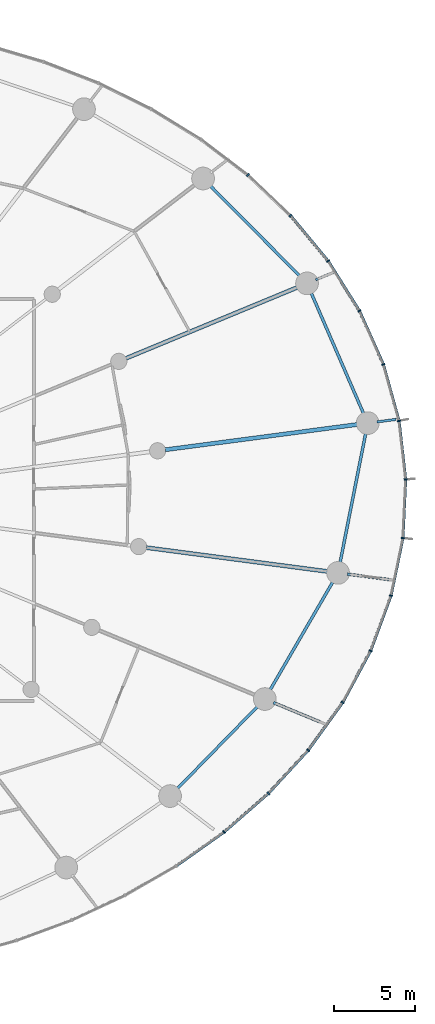
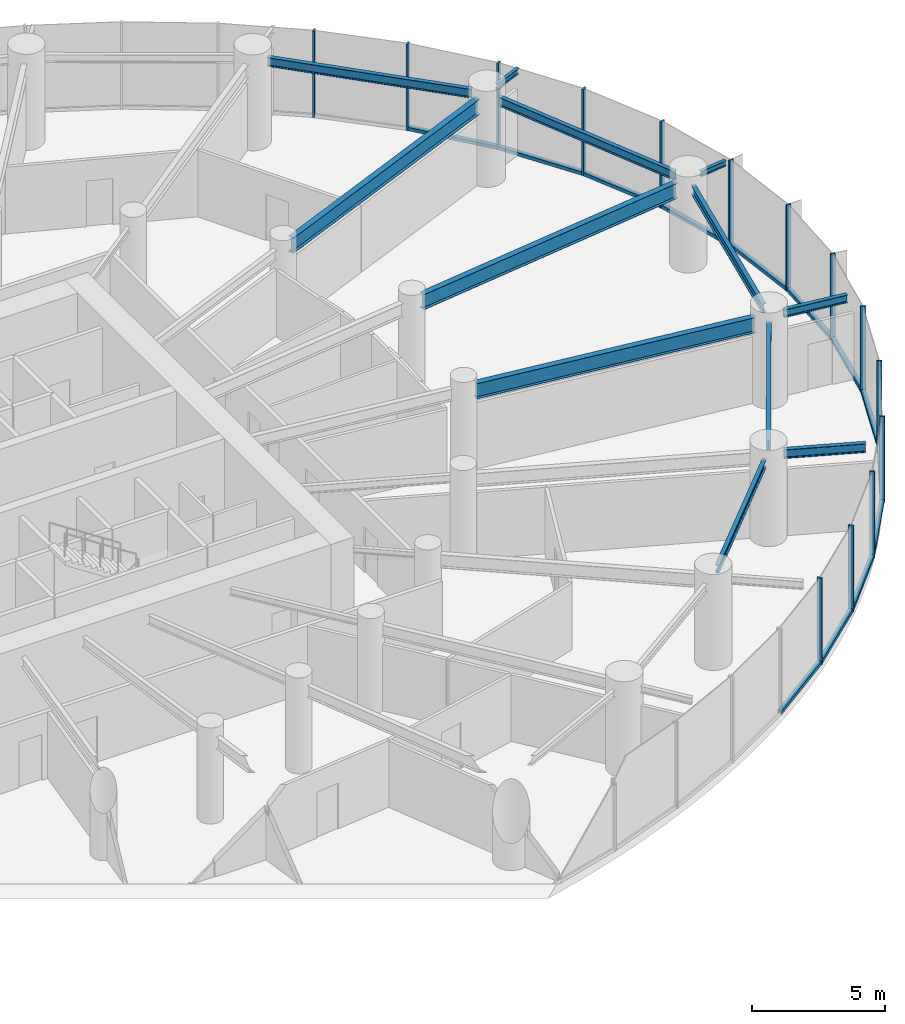
# One storey, part 8 of 19: 27 members, 12 beams, 4 elements without a shape of their own.
"""IFC4 building model written with IfcOpenShell, lengths in metres."""

from ifc_helpers import new_model, si_unit, direction, frame, origin, origin_2d, place, context, subcontext, project, spatial, rectangle, i_section, extrude, source, transform, mapped, material, layer, layer_set, material_profile, profile_set, type_object, element, aggregate, save


model = new_model("IFC4")

# Units and contexts
model_context = context("Model", 3, precision=1e-05, world=origin(), true_north=direction((0.0, 1.0)))
body_context = subcontext(model_context, "Body", "Model", "MODEL_VIEW")
ifc_project = project(units=[si_unit("LENGTHUNIT", "METRE"), si_unit("AREAUNIT", "SQUARE_METRE"), si_unit("VOLUMEUNIT", "CUBIC_METRE"), si_unit("PLANEANGLEUNIT", "RADIAN"), si_unit("MASSUNIT", "GRAM", prefix="KILO")], contexts=[model_context])

# Site, building, storey
site_placement = place(None, origin())
site = spatial("IfcSite", under=ifc_project, at=site_placement, CompositionType="ELEMENT")
building_placement = place(site_placement, origin())
building = spatial("IfcBuilding", under=site, at=building_placement, Name="Spindrift Exchange Tower", CompositionType="ELEMENT")
storey_placement = place(building_placement, frame((0.0, 0.0, 27.0)))
storey = spatial("IfcBuildingStorey", under=building, at=storey_placement, Name="L06", CompositionType="ELEMENT", Elevation=27.0)

# Beams
ifc_material_1 = material(Name="Steel Grade 300", Category="steel")
ifc_material_profile_1 = material_profile(ifc_material_1, i_section(OverallWidth=0.25, OverallDepth=0.699951171875, WebThickness=0.008056640625, FlangeThickness=0.011962890625, at=origin_2d()), Name="700WB115")
ifc_profile_set_1 = profile_set([ifc_material_profile_1], Name="Steel Grade 300")
beam_type_1 = type_object("IfcBeamType", Name="Floor Beam 700WB115 Steel Grade 300", PredefinedType="BEAM", material=ifc_profile_set_1)
shared_shape_1 = source(origin(), body_context, "Body", "SweptSolid", [
    extrude(i_section(OverallWidth=0.25, OverallDepth=0.699951171875, WebThickness=0.008056640625, FlangeThickness=0.011962890625, at=origin_2d()), origin(), (0.0, 0.0, 1.0), 12.00830078125),
])
beam_1_placement = place(storey_placement, frame((75.509765625, 51.09521484375, 3.60009765625), z_axis=(0.991444950947, 0.130525511844, 0.0), x_axis=(-0.130525511844, 0.991444950947, 0.0)))
element("IfcBeam", 1, at=beam_1_placement, inside=storey, type_object=beam_type_1, Name="L06 radial beam R01B", PredefinedType="BEAM", context=body_context, shape_type="MappedRepresentation", body=[
    mapped(shared_shape_1, transform((0.0, 0.0, 0.0), scale=1.0)),
])
shared_shape_2 = source(origin(), body_context, "Body", "SweptSolid", [
    extrude(i_section(OverallWidth=0.25, OverallDepth=0.699951171875, WebThickness=0.008056640625, FlangeThickness=0.011962890625, at=origin_2d()), origin(), (0.0, 0.0, 1.0), 11.505859375),
])
beam_2_placement = place(storey_placement, frame((73.082763671875, 56.73291015625, 3.60009765625), z_axis=(0.923881578419, 0.38267849307, 0.0), x_axis=(-0.38267849307, 0.923881578419, 0.0)))
element("IfcBeam", 2, at=beam_2_placement, inside=storey, type_object=beam_type_1, Name="L06 radial beam R02B", PredefinedType="BEAM", context=body_context, shape_type="MappedRepresentation", body=[
    mapped(shared_shape_2, transform((0.0, 0.0, 0.0), scale=1.0)),
])
shared_shape_3 = source(origin(), body_context, "Body", "SweptSolid", [
    extrude(i_section(OverallWidth=0.25, OverallDepth=0.699951171875, WebThickness=0.008056640625, FlangeThickness=0.011962890625, at=origin_2d()), origin(), (0.0, 0.0, 1.0), 11.34423828125),
])
beam_3_placement = place(storey_placement, frame((74.339111328125, 45.05908203125, 3.60009765625), z_axis=(0.991444770187, -0.130526884848, 0.0), x_axis=(0.130526884848, 0.991444770187, 0.0)))
element("IfcBeam", 3, at=beam_3_placement, inside=storey, type_object=beam_type_1, Name="L06 radial beam R24B", PredefinedType="BEAM", context=body_context, shape_type="MappedRepresentation", body=[
    mapped(shared_shape_3, transform((0.0, 0.0, 0.0), scale=1.0)),
])
ifc_material_profile_2 = material_profile(ifc_material_1, i_section(OverallWidth=0.177978515625, OverallDepth=0.406005859375, WebThickness=0.0078125, FlangeThickness=0.0126953125, FilletRadius=0.013916015625, at=origin_2d()), Name="410UB59.7")
ifc_profile_set_2 = profile_set([ifc_material_profile_2], Name="Steel Grade 300")
beam_type_2 = type_object("IfcBeamType", Name="Edge Beam 410UB59.7 Steel Grade 300", PredefinedType="SPANDREL", material=ifc_profile_set_2)
shared_shape_4 = source(origin(), body_context, "Body", "SweptSolid", [
    extrude(i_section(OverallWidth=0.177978515625, OverallDepth=0.406005859375, WebThickness=0.0078125, FlangeThickness=0.0126953125, FilletRadius=0.013916015625, at=origin_2d()), origin(), (0.0, 0.0, 1.0), 8.23681640625),
])
beam_4_placement = place(storey_placement, frame((87.759521484375, 53.270263671875, 3.7470703125), z_axis=(-0.398186298756, 0.91730456855, 0.0), x_axis=(-0.91730456855, -0.398186298756, 0.0)))
element("IfcBeam", 4, at=beam_4_placement, inside=storey, type_object=beam_type_2, Name="L06 edge beam E01", PredefinedType="SPANDREL", context=body_context, shape_type="MappedRepresentation", body=[
    mapped(shared_shape_4, transform((0.0, 0.0, 0.0), scale=1.0)),
])
shared_shape_5 = source(origin(), body_context, "Body", "SweptSolid", [
    extrude(i_section(OverallWidth=0.177978515625, OverallDepth=0.406005859375, WebThickness=0.0078125, FlangeThickness=0.0126953125, FilletRadius=0.013916015625, at=origin_2d()), origin(), (0.0, 0.0, 1.0), 7.947509765625),
])
beam_5_placement = place(storey_placement, frame((83.840576171875, 61.769775390625, 3.7470703125), z_axis=(-0.704197895271, 0.710003749494, 0.0), x_axis=(-0.710003749494, -0.704197895271, 0.0)))
element("IfcBeam", 5, at=beam_5_placement, inside=storey, type_object=beam_type_2, Name="L06 edge beam E02", PredefinedType="SPANDREL", context=body_context, shape_type="MappedRepresentation", body=[
    mapped(shared_shape_5, transform((0.0, 0.0, 0.0), scale=1.0)),
])
ifc_material_profile_3 = material_profile(ifc_material_1, i_section(OverallWidth=0.172119140625, OverallDepth=0.35888671875, WebThickness=0.008056640625, FlangeThickness=0.012939453125, FilletRadius=0.013916015625, at=origin_2d()), Name="360UB56.7")
ifc_profile_set_3 = profile_set([ifc_material_profile_3], Name="Steel Grade 300")
beam_type_3 = type_object("IfcBeamType", Name="Edge Beam 360UB56.7 Steel Grade 300", PredefinedType="SPANDREL", material=ifc_profile_set_3)
shared_shape_6 = source(origin(), body_context, "Body", "SweptSolid", [
    extrude(i_section(OverallWidth=0.172119140625, OverallDepth=0.35888671875, WebThickness=0.008056640625, FlangeThickness=0.012939453125, FilletRadius=0.013916015625, at=origin_2d()), origin(), (0.0, 0.0, 1.0), 7.2041015625),
])
beam_6_placement = place(storey_placement, frame((76.205810546875, 30.152099609375, 3.7705078125), z_axis=(0.698703626006, 0.715411240481, 0.0), x_axis=(-0.715411240481, 0.698703626006, 0.0)))
element("IfcBeam", 6, at=beam_6_placement, inside=storey, type_object=beam_type_3, Name="L06 edge beam E22", PredefinedType="SPANDREL", context=body_context, shape_type="MappedRepresentation", body=[
    mapped(shared_shape_6, transform((0.0, 0.0, 0.0), scale=1.0)),
])
shared_shape_7 = source(origin(), body_context, "Body", "SweptSolid", [
    extrude(i_section(OverallWidth=0.177978515625, OverallDepth=0.406005859375, WebThickness=0.0078125, FlangeThickness=0.0126953125, FilletRadius=0.013916015625, at=origin_2d()), origin(), (0.0, 0.0, 1.0), 7.837646484375),
])
beam_7_placement = place(storey_placement, frame((81.935791015625, 36.222412109375, 3.7470703125), z_axis=(0.50198145655, 0.864878382942, 0.0), x_axis=(-0.864878382942, 0.50198145655, 0.0)))
element("IfcBeam", 7, at=beam_7_placement, inside=storey, type_object=beam_type_2, Name="L06 edge beam E23", PredefinedType="SPANDREL", context=body_context, shape_type="MappedRepresentation", body=[
    mapped(shared_shape_7, transform((0.0, 0.0, 0.0), scale=1.0)),
])
shared_shape_8 = source(origin(), body_context, "Body", "SweptSolid", [
    extrude(i_section(OverallWidth=0.177978515625, OverallDepth=0.406005859375, WebThickness=0.0078125, FlangeThickness=0.0126953125, FilletRadius=0.013916015625, at=origin_2d()), origin(), (0.0, 0.0, 1.0), 8.2548828125),
])
beam_8_placement = place(storey_placement, frame((86.27392578125, 44.071533203125, 3.7470703125), z_axis=(0.194278723288, 0.9809463684, 0.0), x_axis=(-0.9809463684, 0.194278723288, 0.0)))
element("IfcBeam", 8, at=beam_8_placement, inside=storey, type_object=beam_type_2, Name="L06 edge beam E24", PredefinedType="SPANDREL", context=body_context, shape_type="MappedRepresentation", body=[
    mapped(shared_shape_8, transform((0.0, 0.0, 0.0), scale=1.0)),
])
ifc_material_profile_4 = material_profile(ifc_material_1, i_section(OverallWidth=0.14599609375, OverallDepth=0.251953125, WebThickness=0.006103515625, FlangeThickness=0.008544921875, FilletRadius=0.011962890625, at=origin_2d()), Name="250UB31.4")
ifc_profile_set_4 = profile_set([ifc_material_profile_4], Name="Steel Grade 300")
beam_type_4 = type_object("IfcBeamType", Name="Cantilever Beam 250UB31.4 Steel Grade 300", PredefinedType="BEAM", material=ifc_profile_set_4)
shared_shape_9 = source(origin(), body_context, "Body", "SweptSolid", [
    extrude(i_section(OverallWidth=0.14599609375, OverallDepth=0.251953125, WebThickness=0.006103515625, FlangeThickness=0.008544921875, FilletRadius=0.011962890625, at=origin_2d()), origin(), (0.0, 0.0, 1.0), 1.182373046875),
])
beam_9_placement = place(storey_placement, frame((88.5654296875, 52.81396484375, 3.823974609375), z_axis=(0.991450078563, 0.130486557612, 0.0), x_axis=(-0.130486557612, 0.991450078563, 0.0)))
element("IfcBeam", 9, at=beam_9_placement, inside=storey, type_object=beam_type_4, Name="L06 cantilever beam R01T", PredefinedType="BEAM", context=body_context, shape_type="MappedRepresentation", body=[
    mapped(shared_shape_9, transform((0.0, 0.0, 0.0), scale=1.0)),
])
shared_shape_10 = source(origin(), body_context, "Body", "SweptSolid", [
    extrude(i_section(OverallWidth=0.14599609375, OverallDepth=0.251953125, WebThickness=0.006103515625, FlangeThickness=0.008544921875, FilletRadius=0.011962890625, at=origin_2d()), origin(), (0.0, 0.0, 1.0), 1.340576171875),
])
beam_10_placement = place(storey_placement, frame((84.78466796875, 61.579833984375, 3.823974609375), z_axis=(0.923834804529, 0.382791397422, 0.0), x_axis=(-0.382791397422, 0.923834804529, 0.0)))
element("IfcBeam", 10, at=beam_10_placement, inside=storey, type_object=beam_type_4, Name="L06 cantilever beam R02T", PredefinedType="BEAM", context=body_context, shape_type="MappedRepresentation", body=[
    mapped(shared_shape_10, transform((0.0, 0.0, 0.0), scale=1.0)),
])
ifc_material_profile_5 = material_profile(ifc_material_1, i_section(OverallWidth=0.177978515625, OverallDepth=0.406005859375, WebThickness=0.0078125, FlangeThickness=0.0126953125, FilletRadius=0.013916015625, at=origin_2d()), Name="410UB59.7")
ifc_profile_set_5 = profile_set([ifc_material_profile_5], Name="Steel Grade 300")
beam_type_5 = type_object("IfcBeamType", Name="Cantilever Beam 410UB59.7 Steel Grade 300", PredefinedType="BEAM", material=ifc_profile_set_5)
shared_shape_11 = source(origin(), body_context, "Body", "SweptSolid", [
    extrude(i_section(OverallWidth=0.177978515625, OverallDepth=0.406005859375, WebThickness=0.0078125, FlangeThickness=0.0126953125, FilletRadius=0.013916015625, at=origin_2d()), origin(), (0.0, 0.0, 1.0), 3.094482421875),
])
beam_11_placement = place(storey_placement, frame((82.180419921875, 35.498779296875, 3.7470703125), z_axis=(0.923891828378, -0.382653746168, 0.0), x_axis=(0.382653746168, 0.923891828378, 0.0)))
element("IfcBeam", 11, at=beam_11_placement, inside=storey, type_object=beam_type_5, Name="L06 cantilever beam R23T", PredefinedType="BEAM", context=body_context, shape_type="MappedRepresentation", body=[
    mapped(shared_shape_11, transform((0.0, 0.0, 0.0), scale=1.0)),
])
ifc_material_profile_6 = material_profile(ifc_material_1, i_section(OverallWidth=0.172119140625, OverallDepth=0.35888671875, WebThickness=0.008056640625, FlangeThickness=0.012939453125, FilletRadius=0.013916015625, at=origin_2d()), Name="360UB56.7")
ifc_profile_set_6 = profile_set([ifc_material_profile_6], Name="Steel Grade 300")
beam_type_6 = type_object("IfcBeamType", Name="Cantilever Beam 360UB56.7 Steel Grade 300", PredefinedType="BEAM", material=ifc_profile_set_6)
shared_shape_12 = source(origin(), body_context, "Body", "SweptSolid", [
    extrude(i_section(OverallWidth=0.172119140625, OverallDepth=0.35888671875, WebThickness=0.008056640625, FlangeThickness=0.012939453125, FilletRadius=0.013916015625, at=origin_2d()), origin(), (0.0, 0.0, 1.0), 2.5859375),
])
beam_12_placement = place(storey_placement, frame((86.736083984375, 43.427001953125, 3.7705078125), z_axis=(0.991438541987, -0.130574183751, 0.0), x_axis=(0.130574183751, 0.991438541987, 0.0)))
element("IfcBeam", 12, at=beam_12_placement, inside=storey, type_object=beam_type_6, Name="L06 cantilever beam R24T", PredefinedType="BEAM", context=body_context, shape_type="MappedRepresentation", body=[
    mapped(shared_shape_12, transform((0.0, 0.0, 0.0), scale=1.0)),
])

# Curtain wall, members
ifc_material_2 = material(Name="Fritted laminated glass with bronze frame", Category="glass")
ifc_layer = layer(ifc_material_2, 0.199951171875)
ifc_layer_set = layer_set([ifc_layer], Name="ZONE 1 BRONZE FRITTED WALL")
curtain_wall_type = type_object("IfcCurtainWallType", Name="ZONE 1 BRONZE FRITTED WALL", PredefinedType="NOTDEFINED", material=ifc_layer_set)
curtain_wall_1_placement = place(storey_placement, origin())
curtain_wall_1 = element("IfcCurtainWall", 13, at=curtain_wall_1_placement, inside=storey, type_object=curtain_wall_type, Name="L06 Zone 1 Bronze Fritted Wall run 1", PredefinedType="NOTDEFINED")
ifc_material_3 = material(Name="Bronze anodised aluminium", Category="aluminium")
ifc_material_profile_7 = material_profile(ifc_material_3, rectangle(XDim=0.080078125, YDim=0.199951171875, at=origin_2d()), Name="ZONE 1 BRONZE FRITTED WALL MULLION 80X200")
ifc_profile_set_7 = profile_set([ifc_material_profile_7], Name="Bronze anodised aluminium")
member_type_1 = type_object("IfcMemberType", Name="ZONE 1 BRONZE FRITTED WALL MULLION 80X200", PredefinedType="MULLION", material=ifc_profile_set_7)
shared_shape_13 = source(origin(), body_context, "Body", "SweptSolid", [
    extrude(rectangle(XDim=0.080078125, YDim=0.199951171875, at=origin_2d()), origin(), (0.0, 0.0, 1.0), 3.949951171875),
])
member_1_placement = place(storey_placement, frame((90.3291015625, 49.26806640625, 0.0), z_axis=(0.0, 0.0, 1.0), x_axis=(-0.033077282657, 0.99945279697, 0.0)))
member_1 = element("IfcMember", 14, at=member_1_placement, type_object=member_type_1, Name="L06 mullion CW-1.1", PredefinedType="MULLION", context=body_context, shape_type="MappedRepresentation", body=[
    mapped(shared_shape_13, transform((0.0, 0.0, 0.0), scale=1.0)),
])
member_2_placement = place(storey_placement, frame((89.9208984375, 52.869384765625, 0.0), z_axis=(0.0, 0.0, 1.0), x_axis=(-0.190183401277, 0.981748579769, 0.0)))
member_2 = element("IfcMember", 15, at=member_2_placement, type_object=member_type_1, Name="L06 mullion CW-1.2", PredefinedType="MULLION", context=body_context, shape_type="MappedRepresentation", body=[
    mapped(shared_shape_13, transform((0.0, 0.0, 0.0), scale=1.0)),
])
member_3_placement = place(storey_placement, frame((88.95458984375, 56.36279296875, 0.0), z_axis=(0.0, 0.0, 1.0), x_axis=(-0.338281721157, 0.941044885821, 0.0)))
member_3 = element("IfcMember", 16, at=member_3_placement, type_object=member_type_1, Name="L06 mullion CW-1.3", PredefinedType="MULLION", context=body_context, shape_type="MappedRepresentation", body=[
    mapped(shared_shape_13, transform((0.0, 0.0, 0.0), scale=1.0)),
])
member_4_placement = place(storey_placement, frame((87.4755859375, 59.67236328125, 0.0), z_axis=(0.0, 0.0, 1.0), x_axis=(-0.471302375178, 0.88197169521, 0.0)))
member_4 = element("IfcMember", 17, at=member_4_placement, type_object=member_type_1, Name="L06 mullion CW-1.4", PredefinedType="MULLION", context=body_context, shape_type="MappedRepresentation", body=[
    mapped(shared_shape_13, transform((0.0, 0.0, 0.0), scale=1.0)),
])
member_5_placement = place(storey_placement, frame((85.5458984375, 62.74169921875, 0.0), z_axis=(0.0, 0.0, 1.0), x_axis=(-0.586150375407, 0.810202281785, 0.0)))
member_5 = element("IfcMember", 18, at=member_5_placement, type_object=member_type_1, Name="L06 mullion CW-1.5", PredefinedType="MULLION", context=body_context, shape_type="MappedRepresentation", body=[
    mapped(shared_shape_13, transform((0.0, 0.0, 0.0), scale=1.0)),
])
member_6_placement = place(storey_placement, frame((83.234130859375, 65.534912109375, 0.0), z_axis=(0.0, 0.0, 1.0), x_axis=(-0.682402852109, 0.73097629745, 0.0)))
member_6 = element("IfcMember", 19, at=member_6_placement, type_object=member_type_1, Name="L06 mullion CW-1.6", PredefinedType="MULLION", context=body_context, shape_type="MappedRepresentation", body=[
    mapped(shared_shape_13, transform((0.0, 0.0, 0.0), scale=1.0)),
])

# Curtain wall, member
curtain_wall_2_placement = place(storey_placement, origin())
curtain_wall_2 = element("IfcCurtainWall", 20, at=curtain_wall_2_placement, inside=storey, type_object=curtain_wall_type, Name="L06 Zone 1 Bronze Fritted Wall run 2", PredefinedType="NOTDEFINED")
member_7_placement = place(storey_placement, frame((80.605712890625, 68.033203125, 0.0), z_axis=(0.0, 0.0, 1.0), x_axis=(-0.761380109885, 0.648305736726, 0.0)))
member_7 = element("IfcMember", 21, at=member_7_placement, type_object=member_type_1, Name="L06 mullion CW-1.7", PredefinedType="MULLION", context=body_context, shape_type="MappedRepresentation", body=[
    mapped(shared_shape_13, transform((0.0, 0.0, 0.0), scale=1.0)),
])
aggregate(curtain_wall_2, [member_7])

# Curtain wall, members
curtain_wall_3_placement = place(storey_placement, origin())
curtain_wall_3 = element("IfcCurtainWall", 22, at=curtain_wall_3_placement, inside=storey, type_object=curtain_wall_type, Name="L06 Zone 1 Bronze Fritted Wall run 9", PredefinedType="NOTDEFINED")
member_8_placement = place(storey_placement, frame((79.13330078125, 27.518798828125, 0.0), z_axis=(0.0, 0.0, 1.0), x_axis=(0.786024702777, 0.618195087835, 0.0)))
member_8 = element("IfcMember", 23, at=member_8_placement, type_object=member_type_1, Name="L06 mullion CW-1.53", PredefinedType="MULLION", context=body_context, shape_type="MappedRepresentation", body=[
    mapped(shared_shape_13, transform((0.0, 0.0, 0.0), scale=1.0)),
])
member_9_placement = place(storey_placement, frame((81.867431640625, 29.9013671875, 0.0), z_axis=(0.0, 0.0, 1.0), x_axis=(0.716861377831, 0.697215723413, 0.0)))
member_9 = element("IfcMember", 24, at=member_9_placement, type_object=member_type_1, Name="L06 mullion CW-1.54", PredefinedType="MULLION", context=body_context, shape_type="MappedRepresentation", body=[
    mapped(shared_shape_13, transform((0.0, 0.0, 0.0), scale=1.0)),
])

curtain_wall_4_placement = place(storey_placement, origin())
curtain_wall_4 = element("IfcCurtainWall", 25, at=curtain_wall_4_placement, inside=storey, type_object=curtain_wall_type, Name="L06 Zone 1 Bronze Fritted Wall run 10", PredefinedType="NOTDEFINED")
member_10_placement = place(storey_placement, frame((84.32470703125, 32.56787109375, 0.0), z_axis=(0.0, 0.0, 1.0), x_axis=(0.632596587197, 0.774481476774, 0.0)))
member_10 = element("IfcMember", 26, at=member_10_placement, type_object=member_type_1, Name="L06 mullion CW-1.55", PredefinedType="MULLION", context=body_context, shape_type="MappedRepresentation", body=[
    mapped(shared_shape_13, transform((0.0, 0.0, 0.0), scale=1.0)),
])
member_11_placement = place(storey_placement, frame((86.447021484375, 35.5078125, 0.0), z_axis=(0.0, 0.0, 1.0), x_axis=(0.531315472674, 0.847174048527, 0.0)))
member_11 = element("IfcMember", 27, at=member_11_placement, type_object=member_type_1, Name="L06 mullion CW-1.56", PredefinedType="MULLION", context=body_context, shape_type="MappedRepresentation", body=[
    mapped(shared_shape_13, transform((0.0, 0.0, 0.0), scale=1.0)),
])
member_12_placement = place(storey_placement, frame((88.16943359375, 38.697998046875, 0.0), z_axis=(0.0, 0.0, 1.0), x_axis=(0.41198769176, 0.911189410517, 0.0)))
member_12 = element("IfcMember", 28, at=member_12_placement, type_object=member_type_1, Name="L06 mullion CW-1.57", PredefinedType="MULLION", context=body_context, shape_type="MappedRepresentation", body=[
    mapped(shared_shape_13, transform((0.0, 0.0, 0.0), scale=1.0)),
])
member_13_placement = place(storey_placement, frame((89.426513671875, 42.097900390625, 0.0), z_axis=(0.0, 0.0, 1.0), x_axis=(0.275356361738, 0.961342225251, 0.0)))
member_13 = element("IfcMember", 29, at=member_13_placement, type_object=member_type_1, Name="L06 mullion CW-1.58", PredefinedType="MULLION", context=body_context, shape_type="MappedRepresentation", body=[
    mapped(shared_shape_13, transform((0.0, 0.0, 0.0), scale=1.0)),
])
member_14_placement = place(storey_placement, frame((90.159912109375, 45.647705078125, 0.0), z_axis=(0.0, 0.0, 1.0), x_axis=(0.124869491546, 0.992173175449, 0.0)))
member_14 = element("IfcMember", 30, at=member_14_placement, type_object=member_type_1, Name="L06 mullion CW-1.59", PredefinedType="MULLION", context=body_context, shape_type="MappedRepresentation", body=[
    mapped(shared_shape_13, transform((0.0, 0.0, 0.0), scale=1.0)),
])
ifc_material_profile_8 = material_profile(ifc_material_3, rectangle(XDim=0.179931640625, YDim=0.14990234375, at=origin_2d()), Name="ZONE 1 BRONZE FRITTED WALL TRANSOM 180X150")
ifc_profile_set_8 = profile_set([ifc_material_profile_8], Name="Bronze anodised aluminium")
member_type_2 = type_object("IfcMemberType", Name="ZONE 1 BRONZE FRITTED WALL TRANSOM 180X150", PredefinedType="USERDEFINED", material=ifc_profile_set_8)
shared_shape_14 = source(origin(), body_context, "Body", "SweptSolid", [
    extrude(rectangle(XDim=0.179931640625, YDim=0.14990234375, at=origin_2d()), origin(), (0.0, 0.0, 1.0), 3.54443359375),
])
member_15_placement = place(storey_placement, frame((89.434814453125, 42.13720703125, 0.074951171875), z_axis=(0.202298111794, 0.979323988251, 0.0), x_axis=(-0.979323988251, 0.202298111794, 0.0)))
member_15 = element("IfcMember", 31, at=member_15_placement, type_object=member_type_2, Name="L06 transom CW-1.58", ObjectType="TRANSOM", PredefinedType="USERDEFINED", context=body_context, shape_type="MappedRepresentation", body=[
    mapped(shared_shape_14, transform((0.0, 0.0, 0.0), scale=1.0)),
])
member_16_placement = place(storey_placement, frame((90.161865234375, 45.6875, 0.074951171875), z_axis=(0.046632430207, 0.998912116481, 0.0), x_axis=(-0.998912116481, 0.046632430207, 0.0)))
member_16 = element("IfcMember", 32, at=member_16_placement, type_object=member_type_2, Name="L06 transom CW-1.59", ObjectType="TRANSOM", PredefinedType="USERDEFINED", context=body_context, shape_type="MappedRepresentation", body=[
    mapped(shared_shape_14, transform((0.0, 0.0, 0.0), scale=1.0)),
])

# Member
shared_shape_15 = source(origin(), body_context, "Body", "SweptSolid", [
    extrude(rectangle(XDim=0.179931640625, YDim=0.14990234375, at=origin_2d()), origin(), (0.0, 0.0, 1.0), 3.544921875),
])
member_17_placement = place(storey_placement, frame((88.938232421875, 56.3994140625, 0.074951171875), z_axis=(-0.408060985784, 0.912954671318, 0.0), x_axis=(-0.912954671318, -0.408060985784, 0.0)))
member_17 = element("IfcMember", 33, at=member_17_placement, type_object=member_type_2, Name="L06 transom CW-1.3", ObjectType="TRANSOM", PredefinedType="USERDEFINED", context=body_context, shape_type="MappedRepresentation", body=[
    mapped(shared_shape_15, transform((0.0, 0.0, 0.0), scale=1.0)),
])

member_18_placement = place(storey_placement, frame((88.183349609375, 38.735595703125, 0.074951171875), z_axis=(0.346825328926, 0.937929736822, 0.0), x_axis=(-0.937929736822, 0.346825328926, 0.0)))
member_18 = element("IfcMember", 34, at=member_18_placement, type_object=member_type_2, Name="L06 transom CW-1.57", ObjectType="TRANSOM", PredefinedType="USERDEFINED", context=body_context, shape_type="MappedRepresentation", body=[
    mapped(shared_shape_15, transform((0.0, 0.0, 0.0), scale=1.0)),
])

shared_shape_16 = source(origin(), body_context, "Body", "SweptSolid", [
    extrude(rectangle(XDim=0.179931640625, YDim=0.14990234375, at=origin_2d()), origin(), (0.0, 0.0, 1.0), 3.545654296875),
])
member_19_placement = place(storey_placement, frame((87.4541015625, 59.7060546875, 0.074951171875), z_axis=(-0.53220679995, 0.84661438807, 0.0), x_axis=(-0.84661438807, -0.53220679995, 0.0)))
member_19 = element("IfcMember", 35, at=member_19_placement, type_object=member_type_2, Name="L06 transom CW-1.4", ObjectType="TRANSOM", PredefinedType="USERDEFINED", context=body_context, shape_type="MappedRepresentation", body=[
    mapped(shared_shape_16, transform((0.0, 0.0, 0.0), scale=1.0)),
])

shared_shape_17 = source(origin(), body_context, "Body", "SweptSolid", [
    extrude(rectangle(XDim=0.179931640625, YDim=0.14990234375, at=origin_2d()), origin(), (0.0, 0.0, 1.0), 3.546142578125),
])
member_20_placement = place(storey_placement, frame((81.89453125, 29.9306640625, 0.074951171875), z_axis=(0.677636487532, 0.735397029342, 0.0), x_axis=(-0.735397029342, 0.677636487532, 0.0)))
member_20 = element("IfcMember", 36, at=member_20_placement, type_object=member_type_2, Name="L06 transom CW-1.54", ObjectType="TRANSOM", PredefinedType="USERDEFINED", context=body_context, shape_type="MappedRepresentation", body=[
    mapped(shared_shape_17, transform((0.0, 0.0, 0.0), scale=1.0)),
])

member_21_placement = place(storey_placement, frame((84.34814453125, 32.600341796875, 0.074951171875), z_axis=(0.585281893888, 0.810829886404, 0.0), x_axis=(-0.810829886404, 0.585281893888, 0.0)))
member_21 = element("IfcMember", 37, at=member_21_placement, type_object=member_type_2, Name="L06 transom CW-1.55", ObjectType="TRANSOM", PredefinedType="USERDEFINED", context=body_context, shape_type="MappedRepresentation", body=[
    mapped(shared_shape_17, transform((0.0, 0.0, 0.0), scale=1.0)),
])

shared_shape_18 = source(origin(), body_context, "Body", "SweptSolid", [
    extrude(rectangle(XDim=0.179931640625, YDim=0.14990234375, at=origin_2d()), origin(), (0.0, 0.0, 1.0), 3.54638671875),
])
member_22_placement = place(storey_placement, frame((79.16357421875, 27.544921875, 0.074951171875), z_axis=(0.753875891853, 0.657016848858, 0.0), x_axis=(-0.657016848858, 0.753875891853, 0.0)))
member_22 = element("IfcMember", 38, at=member_22_placement, type_object=member_type_2, Name="L06 transom CW-1.53", ObjectType="TRANSOM", PredefinedType="USERDEFINED", context=body_context, shape_type="MappedRepresentation", body=[
    mapped(shared_shape_18, transform((0.0, 0.0, 0.0), scale=1.0)),
])

shared_shape_19 = source(origin(), body_context, "Body", "SweptSolid", [
    extrude(rectangle(XDim=0.179931640625, YDim=0.14990234375, at=origin_2d()), origin(), (0.0, 0.0, 1.0), 3.546630859375),
])
member_23_placement = place(storey_placement, frame((76.2060546875, 25.446044921875, 0.074951171875), z_axis=(0.816121874714, 0.577879819351, 0.0), x_axis=(-0.577879819351, 0.816121874714, 0.0)))
member_23 = element("IfcMember", 39, at=member_23_placement, type_object=member_type_2, Name="L06 transom CW-1.52", ObjectType="TRANSOM", PredefinedType="USERDEFINED", context=body_context, shape_type="MappedRepresentation", body=[
    mapped(shared_shape_19, transform((0.0, 0.0, 0.0), scale=1.0)),
])

aggregate(curtain_wall_3, [member_23, member_8, member_22, member_9, member_20])

shared_shape_20 = source(origin(), body_context, "Body", "SweptSolid", [
    extrude(rectangle(XDim=0.179931640625, YDim=0.14990234375, at=origin_2d()), origin(), (0.0, 0.0, 1.0), 3.5458984375),
])
member_24_placement = place(storey_placement, frame((85.5205078125, 62.7724609375, 0.074951171875), z_axis=(-0.637614211721, 0.770355837916, 0.0), x_axis=(-0.770355837916, -0.637614211721, 0.0)))
member_24 = element("IfcMember", 40, at=member_24_placement, type_object=member_type_2, Name="L06 transom CW-1.5", ObjectType="TRANSOM", PredefinedType="USERDEFINED", context=body_context, shape_type="MappedRepresentation", body=[
    mapped(shared_shape_20, transform((0.0, 0.0, 0.0), scale=1.0)),
])

shared_shape_21 = source(origin(), body_context, "Body", "SweptSolid", [
    extrude(rectangle(XDim=0.179931640625, YDim=0.14990234375, at=origin_2d()), origin(), (0.0, 0.0, 1.0), 3.544189453125),
])
member_25_placement = place(storey_placement, frame((90.324462890625, 49.307861328125, 0.074951171875), z_axis=(-0.11255574371, 0.993645411884, 0.0), x_axis=(-0.993645411884, -0.11255574371, 0.0)))
member_25 = element("IfcMember", 41, at=member_25_placement, type_object=member_type_2, Name="L06 transom CW-1.1", ObjectType="TRANSOM", PredefinedType="USERDEFINED", context=body_context, shape_type="MappedRepresentation", body=[
    mapped(shared_shape_21, transform((0.0, 0.0, 0.0), scale=1.0)),
])

shared_shape_22 = source(origin(), body_context, "Body", "SweptSolid", [
    extrude(rectangle(XDim=0.179931640625, YDim=0.14990234375, at=origin_2d()), origin(), (0.0, 0.0, 1.0), 3.544677734375),
])
member_26_placement = place(storey_placement, frame((89.910400390625, 52.907958984375, 0.074951171875), z_axis=(-0.266624171477, 0.96380057646, 0.0), x_axis=(-0.96380057646, -0.266624171477, 0.0)))
member_26 = element("IfcMember", 42, at=member_26_placement, type_object=member_type_2, Name="L06 transom CW-1.2", ObjectType="TRANSOM", PredefinedType="USERDEFINED", context=body_context, shape_type="MappedRepresentation", body=[
    mapped(shared_shape_22, transform((0.0, 0.0, 0.0), scale=1.0)),
])

aggregate(curtain_wall_1, [member_1, member_25, member_2, member_26, member_3, member_17, member_4, member_19, member_5, member_24, member_6])

shared_shape_23 = source(origin(), body_context, "Body", "SweptSolid", [
    extrude(rectangle(XDim=0.179931640625, YDim=0.14990234375, at=origin_2d()), origin(), (0.0, 0.0, 1.0), 3.54541015625),
])
member_27_placement = place(storey_placement, frame((86.4658203125, 35.543212890625, 0.074951171875), z_axis=(0.475142516961, 0.879908852425, 0.0), x_axis=(-0.879908852425, 0.475142516961, 0.0)))
member_27 = element("IfcMember", 43, at=member_27_placement, type_object=member_type_2, Name="L06 transom CW-1.56", ObjectType="TRANSOM", PredefinedType="USERDEFINED", context=body_context, shape_type="MappedRepresentation", body=[
    mapped(shared_shape_23, transform((0.0, 0.0, 0.0), scale=1.0)),
])

aggregate(curtain_wall_4, [member_10, member_21, member_11, member_27, member_12, member_18, member_13, member_15, member_14, member_16])

save(model, "model.ifc")
